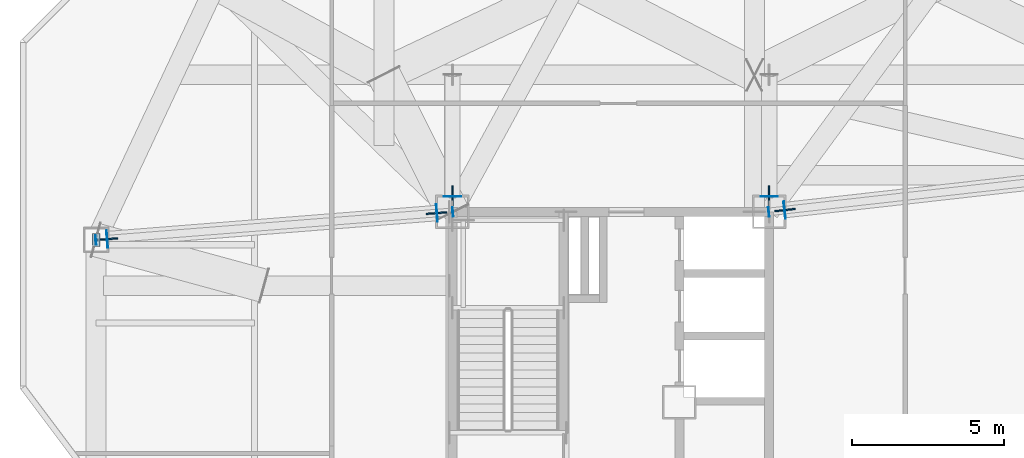
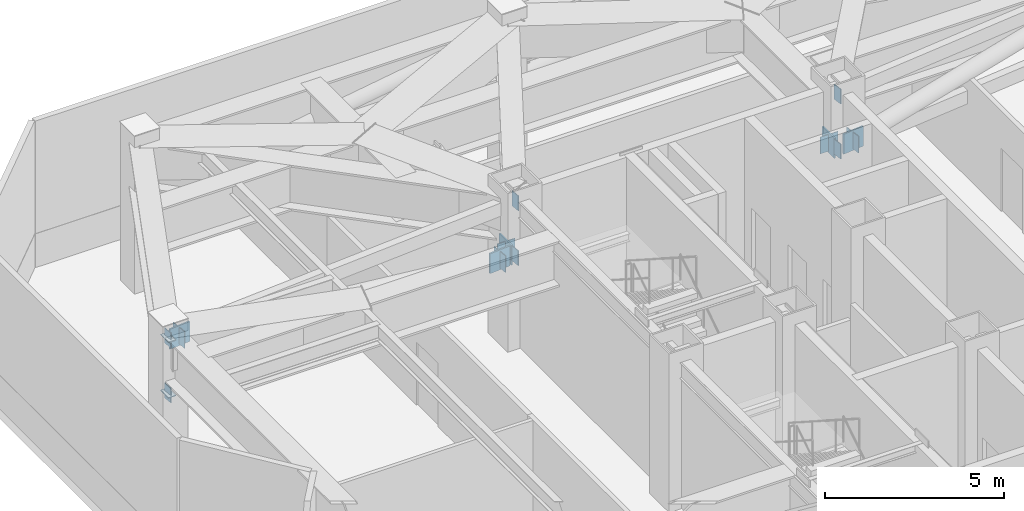
# One storey, part 10 of 19: 18 plates.
"""IFC4 building model written with IfcOpenShell, lengths in metres."""

from ifc_helpers import new_model, si_unit, direction, frame, origin, origin_2d, place, context, subcontext, project, spatial, rectangle, extrude, material, layer, layer_set, type_object, element, save


model = new_model("IFC4")

# Units and contexts
model_context = context("Model", 3, precision=1e-05, world=origin(), true_north=direction((0.0, 1.0)))
body_context = subcontext(model_context, "Body", "Model", "MODEL_VIEW")
ifc_project = project(units=[si_unit("LENGTHUNIT", "METRE"), si_unit("AREAUNIT", "SQUARE_METRE"), si_unit("VOLUMEUNIT", "CUBIC_METRE"), si_unit("PLANEANGLEUNIT", "RADIAN"), si_unit("MASSUNIT", "GRAM", prefix="KILO")], contexts=[model_context])

# Site, building, storey
site_placement = place(None, origin())
site = spatial("IfcSite", under=ifc_project, at=site_placement, CompositionType="ELEMENT")
building_placement = place(site_placement, origin())
building = spatial("IfcBuilding", under=site, at=building_placement, Name="Khamvora Tower", CompositionType="ELEMENT")
storey_placement = place(building_placement, frame((0.0, 0.0, 211.800048828125)))
storey = spatial("IfcBuildingStorey", under=building, at=storey_placement, Name="L54", CompositionType="ELEMENT", Elevation=211.800048828125)

# Plates
ifc_material_1 = material(Name="Steel S355", Category="steel")
ifc_layer_1 = layer(ifc_material_1, 0.02490234375)
ifc_layer_set_1 = layer_set([ifc_layer_1], Name="Steel S355")
plate_type_1 = type_object("IfcPlateType", Name="PL-CAP-25", PredefinedType="SHEET", material=ifc_layer_set_1)
for number, where, z_axis, x_axis, name in (
    (1, (29.011962890625, 37.0009765625, 4.375), (0.0, 0.0, 1.0), (-0.996889885607, -0.078807080738, 0.0), "L54 hollow section steel end cap plate 1004"),
    (2, (17.2880859375, 36.073974609375, 4.375), (0.0, 0.0, 1.0), (-0.996889885607, -0.078807080738, 0.0), "L54 hollow section steel end cap plate 1005"),
    (3, (29.011962890625, 37.0009765625, 2.5048828125), (0.0, 0.0, 1.0), (-0.996889885607, -0.078807080738, 0.0), "L54 hollow section steel end cap plate 1006"),
    (4, (17.2880859375, 36.073974609375, 2.5048828125), (0.0, 0.0, 1.0), (-0.996889885607, -0.078807080738, 0.0), "L54 hollow section steel end cap plate 1007"),
):
    element("IfcPlate", number, at=place(storey_placement, frame(where, z_axis=z_axis, x_axis=x_axis)), inside=storey, type_object=plate_type_1, Name=name, PredefinedType="SHEET", context=body_context, shape_type="SweptSolid", body=[
        extrude(rectangle(XDim=0.02490234375, YDim=0.31005859375, at=origin_2d()), origin(), (0.0, 0.0, 1.0), 0.510009765625),
    ])
for number, where, z_axis, x_axis, name in (
    (5, (28.489990234375, 36.9599609375, 2.55712890625), (0.0, 0.0, 1.0), (-0.996889885607, -0.078807080738, 0.0), "L54 hollow section steel end cap plate 1008"),
    (6, (17.662109375, 36.10400390625, 4.2880859375), (0.0, 0.0, 1.0), (-0.996889885607, -0.078807080738, 0.0), "L54 hollow section steel end cap plate 1009"),
):
    element("IfcPlate", number, at=place(storey_placement, frame(where, z_axis=z_axis, x_axis=x_axis)), inside=storey, type_object=plate_type_1, Name=name, PredefinedType="SHEET", context=body_context, shape_type="SweptSolid", body=[
        extrude(rectangle(XDim=0.02490234375, YDim=0.568115234375, at=origin_2d()), origin(), (0.0, 0.0, 1.0), 0.568115234375),
    ])
for number, where, z_axis, x_axis, name in (
    (7, (17.300048828125, 36.074951171875, 2.735595703125), (0.0, 0.0, 1.0), (1.0, 0.0, 0.0), "L54 hollow section steel end cap plate 1010"),
    (8, (17.300048828125, 36.074951171875, 4.62939453125), (0.0, 0.0, 1.0), (1.0, 0.0, 0.0), "L54 hollow section steel end cap plate 1011"),
):
    element("IfcPlate", number, at=place(storey_placement, frame(where, z_axis=z_axis, x_axis=x_axis)), inside=storey, type_object=plate_type_1, Name=name, PredefinedType="SHEET", context=body_context, shape_type="SweptSolid", body=[
        extrude(rectangle(XDim=0.239990234375, YDim=0.43994140625, at=origin_2d()), origin(), (0.0, 0.0, 1.0), 0.02490234375),
    ])
for number, where, z_axis, x_axis, name in (
    (9, (39.387939453125, 36.9990234375, 4.375), (0.0, 0.0, 1.0), (0.993711372373, 0.11197190905, 0.0), "L54 hollow section steel end cap plate 1024"),
    (10, (39.387939453125, 36.9990234375, 2.5048828125), (0.0, 0.0, 1.0), (0.993711372373, 0.11197190905, 0.0), "L54 hollow section steel end cap plate 1026"),
):
    element("IfcPlate", number, at=place(storey_placement, frame(where, z_axis=z_axis, x_axis=x_axis)), inside=storey, type_object=plate_type_1, Name=name, PredefinedType="SHEET", context=body_context, shape_type="SweptSolid", body=[
        extrude(rectangle(XDim=0.02490234375, YDim=0.31005859375, at=origin_2d()), origin(), (0.0, 0.0, 1.0), 0.510009765625),
    ])
for number, where, z_axis, x_axis, name in (
    (11, (39.906982421875, 37.056884765625, 2.56494140625), (0.0, 0.0, 1.0), (0.993707463211, 0.112006596052, 0.0), "L54 hollow section steel end cap plate 1028"),
    (12, (29.0, 37.5029296875, 2.38671875), (0.0, 0.0, 1.0), (0.0, 1.0, 0.0), "L54 hollow section steel end cap plate 1065"),
    (13, (39.39990234375, 37.5029296875, 2.38671875), (0.0, 0.0, 1.0), (0.0, 1.0, 0.0), "L54 hollow section steel end cap plate 1067"),
):
    element("IfcPlate", number, at=place(storey_placement, frame(where, z_axis=z_axis, x_axis=x_axis)), inside=storey, type_object=plate_type_1, Name=name, PredefinedType="SHEET", context=body_context, shape_type="SweptSolid", body=[
        extrude(rectangle(XDim=0.02490234375, YDim=0.568115234375, at=origin_2d()), origin(), (0.0, 0.0, 1.0), 0.568115234375),
    ])
ifc_material_2 = material(Name="Steel S460", Category="steel")
ifc_layer_2 = layer(ifc_material_2, 0.050048828125)
ifc_layer_set_2 = layer_set([ifc_layer_2], Name="Steel S460")
plate_type_2 = type_object("IfcPlateType", Name="PLT-GUS-50", PredefinedType="SHEET", material=ifc_layer_set_2)
for number, where, z_axis, x_axis, name in (
    (14, (28.47802734375, 36.958984375, 2.5029296875), (0.0, 0.0, 1.0), (-0.996889885607, -0.078807080738, 0.0), "L54 brace connection node gusset plate 0335"),
    (15, (17.674072265625, 36.10498046875, 4.22998046875), (0.0, 0.0, 1.0), (-0.996889885607, -0.078807080738, 0.0), "L54 brace connection node gusset plate 0336"),
    (16, (39.9189453125, 37.05810546875, 2.5107421875), (0.0, 0.0, 1.0), (0.993711372373, 0.11197190905, 0.0), "L54 brace connection node gusset plate 0341"),
    (17, (29.0, 37.514892578125, 2.333984375), (0.0, 0.0, 1.0), (0.0, 1.0, 0.0), "L54 brace connection node gusset plate 0359"),
    (18, (39.39990234375, 37.514892578125, 2.333984375), (0.0, 0.0, 1.0), (0.0, 1.0, 0.0), "L54 brace connection node gusset plate 0361"),
):
    element("IfcPlate", number, at=place(storey_placement, frame(where, z_axis=z_axis, x_axis=x_axis)), inside=storey, type_object=plate_type_2, Name=name, PredefinedType="SHEET", context=body_context, shape_type="SweptSolid", body=[
        extrude(rectangle(XDim=0.679931640625, YDim=0.050048828125, at=origin_2d()), origin(), (0.0, 0.0, 1.0), 0.679931640625),
    ])

save(model, "model.ifc")
